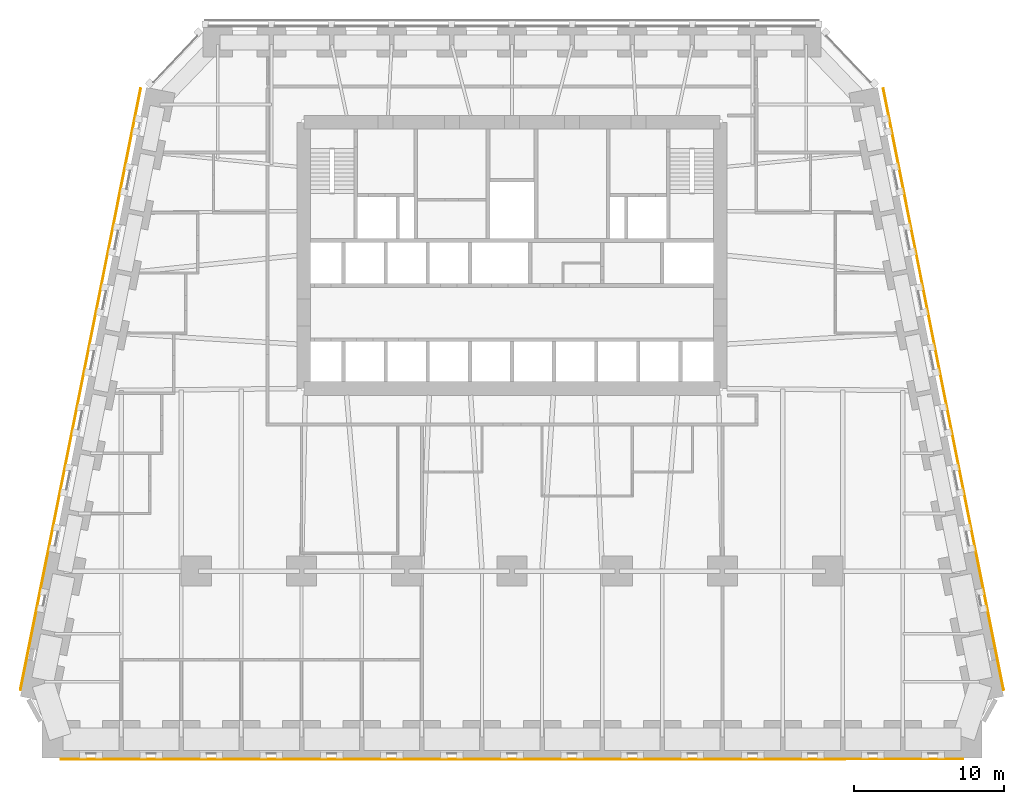
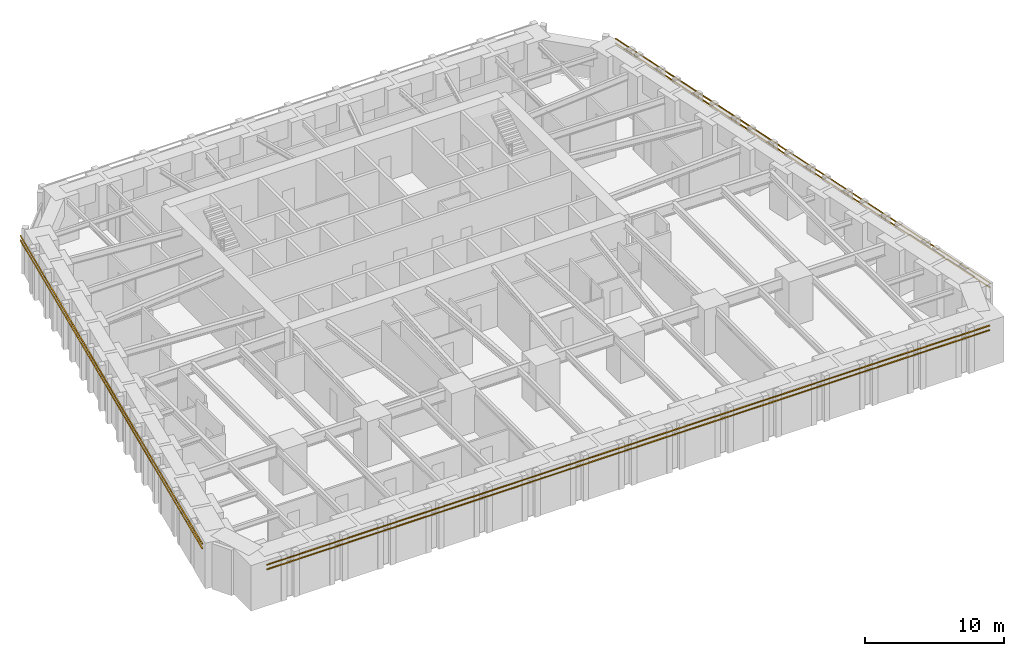
# One storey, part 15 of 16: 6 shading devices.
"""IFC4 building model written with IfcOpenShell, lengths in metres."""

import ifcopenshell
import ifcopenshell.guid

model = None  # the IFC model being written
_history = None  # IfcOwnerHistory: only IFC2X3 demands one
_inside = {}  # id of a spatial element -> (the spatial element, [elements in it])
_under = {}  # id of a project, library or spatial element -> (it, [spatial elements below it])
_declared = {}  # id of a project -> (the project, [libraries it declares])
_typed = {}  # id of a type object -> (the type object, [elements of that type])
_made_of = {}  # id of a material, layer set ... -> (it, [elements and type objects made of it])


def new_model(schema):
    """Start an empty IFC model of exactly this schema.

    Asked for "IFC4X3", IfcOpenShell would pick the latest addendum, in which some entities
    have other attributes; the version numbers below select the first issue.
    IFC2X3 requires an IfcOwnerHistory on every rooted entity: one is made here for all.
    """
    global model, _history
    if schema == "IFC4X3":
        model = ifcopenshell.file(schema_version=(4, 3, 0, 0))
    else:
        model = ifcopenshell.file(schema=schema)
    _inside.clear()
    _under.clear()
    _declared.clear()
    _typed.clear()
    _made_of.clear()
    _history = None
    if model.schema == "IFC2X3":
        org = make("IfcOrganization", Name="unknown")
        user = make(
            "IfcPersonAndOrganization",
            ThePerson=make("IfcPerson", FamilyName="unknown"),
            TheOrganization=org,
        )
        app = make(
            "IfcApplication",
            ApplicationDeveloper=org,
            Version="unknown",
            ApplicationFullName="unknown",
            ApplicationIdentifier="unknown",
        )
        _history = make(
            "IfcOwnerHistory",
            OwningUser=user,
            OwningApplication=app,
            ChangeAction="ADDED",
            CreationDate=0,
        )
    return model


def make(cls, **values):
    """One entity of the class cls with the attributes given. An attribute that is None is left unset."""
    return model.create_entity(
        cls, **{name: value for name, value in values.items() if value is not None}
    )


def rooted(cls, **values):
    """An entity with a GlobalId (a new one), such as an element, a storey or a relation."""
    return make(cls, GlobalId=ifcopenshell.guid.new(), OwnerHistory=_history, **values)


def si_unit(unit_type, name, prefix=None):
    """IfcSIUnit, for example si_unit("LENGTHUNIT", "METRE", prefix="MILLI")."""
    return make("IfcSIUnit", UnitType=unit_type, Prefix=prefix, Name=name)


def assignment(units):
    """IfcUnitAssignment: the units of a project."""
    return None if units is None else make("IfcUnitAssignment", Units=units)


def point(xyz):
    """IfcCartesianPoint."""
    return None if xyz is None else make("IfcCartesianPoint", Coordinates=xyz)


def direction(xyz):
    """IfcDirection."""
    return None if xyz is None else make("IfcDirection", DirectionRatios=xyz)


def frame(location, z_axis=None, x_axis=None):
    """IfcAxis2Placement3D, a coordinate frame: its origin and axes. An axis left out is left unset."""
    return make(
        "IfcAxis2Placement3D",
        Location=point(location),
        Axis=direction(z_axis),
        RefDirection=direction(x_axis),
    )


def frame_2d(location, x_axis=None):
    """IfcAxis2Placement2D, a coordinate frame in the plane: its origin and x axis."""
    return make(
        "IfcAxis2Placement2D", Location=point(location), RefDirection=direction(x_axis)
    )


def origin():
    """The frame at (0, 0, 0) with its axes left unset."""
    return frame((0.0, 0.0, 0.0))


def origin_2d():
    """The frame at (0, 0) in the plane with its x axis left unset."""
    return frame_2d((0.0, 0.0))


def place(relative_to, where):
    """IfcLocalPlacement: puts the frame where relative to a parent placement (None: the world)."""
    return make(
        "IfcLocalPlacement", PlacementRelTo=relative_to, RelativePlacement=where
    )


def context(
    kind, dimensions, precision=None, world=None, true_north=None, identifier=None
):
    """IfcGeometricRepresentationContext, for example the 3D "Model" context."""
    return make(
        "IfcGeometricRepresentationContext",
        ContextIdentifier=identifier,
        ContextType=kind,
        CoordinateSpaceDimension=dimensions,
        Precision=precision,
        WorldCoordinateSystem=world,
        TrueNorth=true_north,
    )


def subcontext(parent, identifier, kind, view, scale=None):
    """IfcGeometricRepresentationSubContext, for example "Body" below "Model"."""
    return make(
        "IfcGeometricRepresentationSubContext",
        ContextIdentifier=identifier,
        ContextType=kind,
        ParentContext=parent,
        TargetScale=scale,
        TargetView=view,
    )


def project(units=None, contexts=None):
    """IfcProject with its units and contexts."""
    return rooted(
        "IfcProject",
        Name="project",
        RepresentationContexts=contexts,
        UnitsInContext=assignment(units),
    )


def spatial(cls, under=None, at=None, **own):
    """A site, building, storey or space (cls), placed at a placement, below another one or the project."""
    s = rooted(cls, ObjectPlacement=at, **own)
    if under is not None:
        _under.setdefault(under.id(), (under, []))[1].append(s)
    return s


def profile(cls, at=None, kind="AREA", **sizes):
    """A parametric profile (cls). Its sizes go by their IFC names, for example OverallWidth=200.0."""
    return make(cls, ProfileType=kind, Position=at, **sizes)


def rectangle(**sizes):
    """IfcRectangleProfileDef."""
    return profile("IfcRectangleProfileDef", **sizes)


def extrude(swept, where, along, depth):
    """IfcExtrudedAreaSolid: the profile swept, set in the frame where, extruded along a direction by depth."""
    return make(
        "IfcExtrudedAreaSolid",
        SweptArea=swept,
        Position=where,
        ExtrudedDirection=direction(along),
        Depth=depth,
    )


def shape(context_of_items, identifier, shape_type, items):
    """IfcShapeRepresentation: the items that make up one representation, for example the "Body"."""
    return make(
        "IfcShapeRepresentation",
        ContextOfItems=context_of_items,
        RepresentationIdentifier=identifier,
        RepresentationType=shape_type,
        Items=items,
    )


def material(Name=None, Category=None):
    """IfcMaterial."""
    return make("IfcMaterial", Name=Name, Category=Category)


def material_profile(
    of_material, cross_section, Name=None, Category=None, Priority=None
):
    """IfcMaterialProfile: a cross section and its material."""
    return make(
        "IfcMaterialProfile",
        Name=Name,
        Material=of_material,
        Profile=cross_section,
        Priority=Priority,
        Category=Category,
    )


def profile_set(profiles, Name=None, composite=None):
    """IfcMaterialProfileSet."""
    return make(
        "IfcMaterialProfileSet",
        Name=Name,
        MaterialProfiles=profiles,
        CompositeProfile=composite,
    )


def made_of(thing, what):
    """Note that an element or type object is made of a material, layer set ...; save() writes the relation."""
    if what is not None:
        _made_of.setdefault(what.id(), (what, []))[1].append(thing)
    return thing


def type_object(cls, material=None, **own):
    """A type object (cls), such as IfcWallType, which elements share."""
    return made_of(rooted(cls, **own), material)


def element(
    cls,
    number,
    at=None,
    inside=None,
    cuts=None,
    type_object=None,
    material=None,
    context=None,
    identifier="Body",
    shape_type=None,
    held_by="IfcProductDefinitionShape",
    body=None,
    shapes=None,
    **own,
):
    """One element of the class cls, such as IfcWall. Its Tag is "e" and its number.

    at: its placement. inside: the storey or other place that contains it. cuts: it is an
    opening in that element (IfcRelVoidsElement). A single representation is given by context,
    identifier, shape_type and body (its items); several are given by shapes. held_by: the class
    of the entity that holds the representations. save() writes the other relations.
    """
    e = rooted(cls, Tag="e%d" % number, ObjectPlacement=at, **own)
    if body is not None:
        shapes = [shape(context, identifier, shape_type, body)]
    if shapes is not None:
        e.Representation = make(held_by, Representations=shapes)
    if inside is not None:
        _inside.setdefault(inside.id(), (inside, []))[1].append(e)
    if cuts is not None:
        rooted(
            "IfcRelVoidsElement", RelatingBuildingElement=cuts, RelatedOpeningElement=e
        )
    if type_object is not None:
        _typed.setdefault(type_object.id(), (type_object, []))[1].append(e)
    return made_of(e, material)


def aggregate(whole, parts):
    """IfcRelAggregates: a whole, such as a stair, and the parts it consists of."""
    return rooted("IfcRelAggregates", RelatingObject=whole, RelatedObjects=parts)


def save(model, path):
    """Write the relations noted so far, then the file.

    IfcRelAggregates (storeys below a building ...), IfcRelContainedInSpatialStructure (elements
    in a storey), IfcRelDefinesByType, IfcRelAssociatesMaterial and IfcRelDeclares: one each for
    every whole, place, type object, material and project.
    """
    for whole, parts in _under.values():
        aggregate(whole, parts)
    for where, things in _inside.values():
        rooted(
            "IfcRelContainedInSpatialStructure",
            RelatedElements=things,
            RelatingStructure=where,
        )
    for kind, things in _typed.values():
        rooted("IfcRelDefinesByType", RelatedObjects=things, RelatingType=kind)
    for what, things in _made_of.values():
        rooted("IfcRelAssociatesMaterial", RelatedObjects=things, RelatingMaterial=what)
    for by, libraries in _declared.values():
        rooted("IfcRelDeclares", RelatingContext=by, RelatedDefinitions=libraries)
    model.write(path)


model = new_model("IFC4")

# Units and contexts
model_context = context("Model", 3, precision=1e-05, world=origin(), true_north=direction((0.0, 1.0)))
body_context = subcontext(model_context, "Body", "Model", "MODEL_VIEW")
ifc_project = project(units=[si_unit("LENGTHUNIT", "METRE"), si_unit("AREAUNIT", "SQUARE_METRE"), si_unit("VOLUMEUNIT", "CUBIC_METRE"), si_unit("PLANEANGLEUNIT", "RADIAN"), si_unit("MASSUNIT", "GRAM", prefix="KILO")], contexts=[model_context])

# Site, building, storey
site_placement = place(None, origin())
site = spatial("IfcSite", under=ifc_project, at=site_placement, CompositionType="ELEMENT")
building_placement = place(site_placement, origin())
building = spatial("IfcBuilding", under=site, at=building_placement, Name="Isbrekke Arena Tower", CompositionType="ELEMENT")
storey_placement = place(building_placement, frame((0.0, 0.0, 52.0)))
storey = spatial("IfcBuildingStorey", under=building, at=storey_placement, Name="L10", CompositionType="ELEMENT", Elevation=52.0)

# Shading devices
ifc_material = material(Name="Terracotta", Category="masonry")
ifc_material_profile = material_profile(ifc_material, rectangle(XDim=0.06005859375, YDim=0.06005859375, at=origin_2d()), Name="BAGUETTE 60X60")
ifc_profile_set = profile_set([ifc_material_profile], Name="Terracotta")
shading_device_type = type_object("IfcShadingDeviceType", Name="BG1 TERRACOTTA BAGUETTE 60 x 60", PredefinedType="USERDEFINED", material=ifc_profile_set)
for number, where, z_axis, x_axis, name in (
    (1, (-30.0, -18.5048828125, 3.280029296875), (1.0, 0.0, 0.0), (0.0, 1.0, 0.0), "BG1 terracotta baguette S1 L10"),
    (2, (-30.0, -18.5048828125, 3.679931640625), (1.0, 0.0, 0.0), (0.0, 1.0, 0.0), "BG1 terracotta baguette S2 L10"),
):
    element("IfcShadingDevice", number, at=place(storey_placement, frame(where, z_axis=z_axis, x_axis=x_axis)), inside=storey, type_object=shading_device_type, Name=name, ObjectType="TERRACOTTA BAGUETTE", PredefinedType="USERDEFINED", context=body_context, shape_type="SweptSolid", body=[
        extrude(rectangle(XDim=0.06005859375, YDim=0.06005859375, at=origin_2d()), origin(), (0.0, 0.0, 1.0), 60.0),
    ])
for number, where, z_axis, x_axis, name in (
    (3, (32.6953125, -13.90087890625, 3.280029296875), (-0.196116135138, 0.980580675691, 0.0), (-0.980580675691, -0.196116135138, 0.0), "BG1 terracotta baguette E1 L10"),
    (4, (32.6953125, -13.90087890625, 3.679931640625), (-0.196116135138, 0.980580675691, 0.0), (-0.980580675691, -0.196116135138, 0.0), "BG1 terracotta baguette E2 L10"),
    (5, (-24.6953125, 26.09912109375, 3.280029296875), (-0.196116135138, -0.980580675691, 0.0), (0.980580675691, -0.196116135138, 0.0), "BG1 terracotta baguette W1 L10"),
    (6, (-24.6953125, 26.09912109375, 3.679931640625), (-0.196116135138, -0.980580675691, 0.0), (0.980580675691, -0.196116135138, 0.0), "BG1 terracotta baguette W2 L10"),
):
    element("IfcShadingDevice", number, at=place(storey_placement, frame(where, z_axis=z_axis, x_axis=x_axis)), inside=storey, type_object=shading_device_type, Name=name, ObjectType="TERRACOTTA BAGUETTE", PredefinedType="USERDEFINED", context=body_context, shape_type="SweptSolid", body=[
        extrude(rectangle(XDim=0.06005859375, YDim=0.06005859375, at=origin_2d()), origin(), (0.0, 0.0, 1.0), 40.792236328125),
    ])

save(model, "model.ifc")
